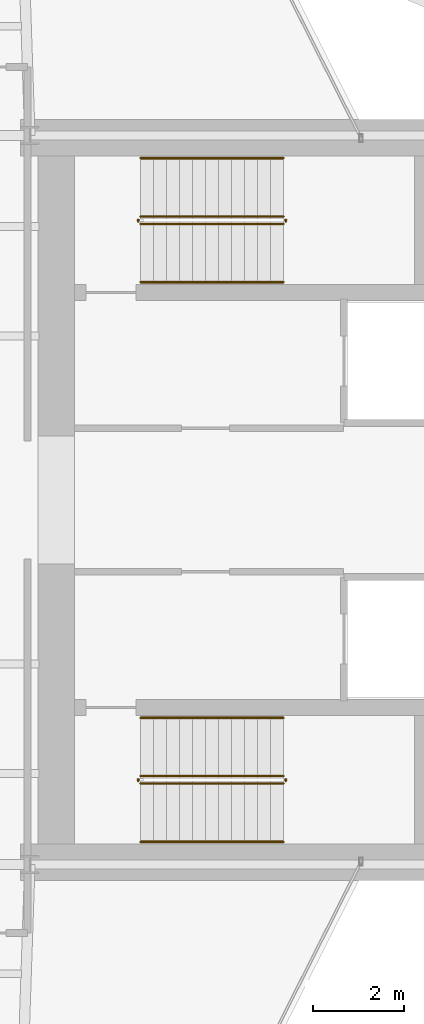
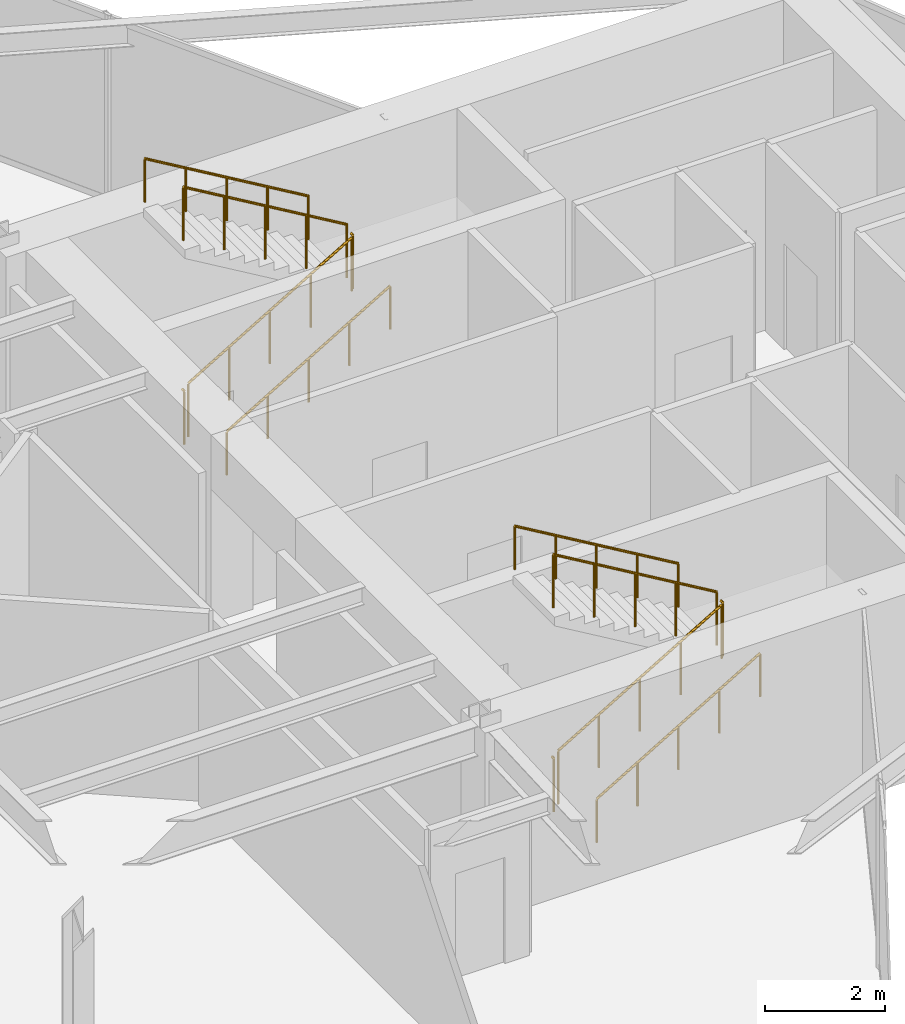
# One storey, part 26 of 26: 12 railings.
"""IFC4 building model written with IfcOpenShell, lengths in metres."""

from ifc_helpers import new_model, si_unit, direction, frame, origin, origin_2d, place, context, subcontext, project, spatial, circle, extrude, material, type_object, element, save


model = new_model("IFC4")

# Units and contexts
model_context = context("Model", 3, precision=1e-05, world=origin(), true_north=direction((0.0, 1.0)))
body_context = subcontext(model_context, "Body", "Model", "MODEL_VIEW")
ifc_project = project(units=[si_unit("LENGTHUNIT", "METRE"), si_unit("AREAUNIT", "SQUARE_METRE"), si_unit("VOLUMEUNIT", "CUBIC_METRE"), si_unit("PLANEANGLEUNIT", "RADIAN"), si_unit("MASSUNIT", "GRAM", prefix="KILO")], contexts=[model_context])

# Site, building, storey
site_placement = place(None, origin())
site = spatial("IfcSite", under=ifc_project, at=site_placement, CompositionType="ELEMENT")
building_placement = place(site_placement, origin())
building = spatial("IfcBuilding", under=site, at=building_placement, Name="Veymaron Broadcast Tower", CompositionType="ELEMENT")
storey_placement = place(building_placement, frame((0.0, 0.0, 133.050048828125)))
storey = spatial("IfcBuildingStorey", under=building, at=storey_placement, Name="L30", CompositionType="ELEMENT", Elevation=133.050048828125)

# Railings
ifc_material_1 = material(Name="Brushed stainless steel AISI 304", Category="steel")
railing_type_1 = type_object("IfcRailingType", Name="RAIL-STAIR-HR", PredefinedType="HANDRAIL", material=ifc_material_1)
railing_1_placement = place(storey_placement, frame((41.429931640625, 28.780029296875, 0.168701171875)))
element("IfcRailing", 1, at=railing_1_placement, inside=storey, type_object=railing_type_1, Name="L30 ST1 stair handrail 1", PredefinedType="HANDRAIL", context=body_context, shape_type="SweptSolid", body=[
    extrude(circle(Radius=0.02392578125, at=origin_2d()), frame((0.0, 0.0, 0.8759765625), z_axis=(0.860481960309, 0.0, 0.509480908359), x_axis=(0.0, 1.0, 0.0)), (0.0, 0.0, 1.0), 3.643310546875),
    extrude(circle(Radius=0.02099609375, at=origin_2d()), origin(), (0.0, 0.0, 1.0), 0.851806640625),
    extrude(circle(Radius=0.02099609375, at=origin_2d()), frame((0.78369140625, 0.0, 0.464111328125)), (0.0, 0.0, 1.0), 0.851806640625),
    extrude(circle(Radius=0.02099609375, at=origin_2d()), frame((1.5673828125, 0.0, 0.92822265625)), (0.0, 0.0, 1.0), 0.851806640625),
    extrude(circle(Radius=0.02099609375, at=origin_2d()), frame((2.351318359375, 0.0, 1.39208984375)), (0.0, 0.0, 1.0), 0.851806640625),
    extrude(circle(Radius=0.02099609375, at=origin_2d()), frame((3.135009765625, 0.0, 1.856201171875)), (0.0, 0.0, 1.0), 0.851806640625),
])
railing_2_placement = place(storey_placement, frame((44.56494140625, 31.5, 2.193603515625)))
element("IfcRailing", 2, at=railing_2_placement, inside=storey, type_object=railing_type_1, Name="L30 ST1 stair handrail 2", PredefinedType="HANDRAIL", context=body_context, shape_type="SweptSolid", body=[
    extrude(circle(Radius=0.02392578125, at=origin_2d()), frame((0.0, 0.0, 0.8759765625), z_axis=(-0.860452582533, 0.0, 0.509530522356), x_axis=(0.0, -1.0, 0.0)), (0.0, 0.0, 1.0), 3.6435546875),
    extrude(circle(Radius=0.02099609375, at=origin_2d()), origin(), (0.0, 0.0, 1.0), 0.851806640625),
    extrude(circle(Radius=0.02099609375, at=origin_2d()), frame((-0.78369140625, 0.0, 0.464111328125)), (0.0, 0.0, 1.0), 0.851806640625),
    extrude(circle(Radius=0.02099609375, at=origin_2d()), frame((-1.5673828125, 0.0, 0.92822265625)), (0.0, 0.0, 1.0), 0.851806640625),
    extrude(circle(Radius=0.02099609375, at=origin_2d()), frame((-2.351318359375, 0.0, 1.392333984375)), (0.0, 0.0, 1.0), 0.851806640625),
    extrude(circle(Radius=0.02099609375, at=origin_2d()), frame((-3.135009765625, 0.0, 1.8564453125)), (0.0, 0.0, 1.0), 0.851806640625),
])
railing_3_placement = place(storey_placement, frame((41.429931640625, 16.5, 0.168701171875)))
element("IfcRailing", 3, at=railing_3_placement, inside=storey, type_object=railing_type_1, Name="L30 ST2 stair handrail 1", PredefinedType="HANDRAIL", context=body_context, shape_type="SweptSolid", body=[
    extrude(circle(Radius=0.02392578125, at=origin_2d()), frame((0.0, 0.0, 0.8759765625), z_axis=(0.860481960309, 0.0, 0.509480908359), x_axis=(0.0, 1.0, 0.0)), (0.0, 0.0, 1.0), 3.643310546875),
    extrude(circle(Radius=0.02099609375, at=origin_2d()), origin(), (0.0, 0.0, 1.0), 0.851806640625),
    extrude(circle(Radius=0.02099609375, at=origin_2d()), frame((0.78369140625, 0.0, 0.464111328125)), (0.0, 0.0, 1.0), 0.851806640625),
    extrude(circle(Radius=0.02099609375, at=origin_2d()), frame((1.5673828125, 0.0, 0.92822265625)), (0.0, 0.0, 1.0), 0.851806640625),
    extrude(circle(Radius=0.02099609375, at=origin_2d()), frame((2.351318359375, 0.0, 1.39208984375)), (0.0, 0.0, 1.0), 0.851806640625),
    extrude(circle(Radius=0.02099609375, at=origin_2d()), frame((3.135009765625, 0.0, 1.856201171875)), (0.0, 0.0, 1.0), 0.851806640625),
])
railing_4_placement = place(storey_placement, frame((44.56494140625, 19.219970703125, 2.193603515625)))
element("IfcRailing", 4, at=railing_4_placement, inside=storey, type_object=railing_type_1, Name="L30 ST2 stair handrail 2", PredefinedType="HANDRAIL", context=body_context, shape_type="SweptSolid", body=[
    extrude(circle(Radius=0.02392578125, at=origin_2d()), frame((0.0, 0.0, 0.8759765625), z_axis=(-0.860452582533, 0.0, 0.509530522356), x_axis=(0.0, -1.0, 0.0)), (0.0, 0.0, 1.0), 3.6435546875),
    extrude(circle(Radius=0.02099609375, at=origin_2d()), origin(), (0.0, 0.0, 1.0), 0.851806640625),
    extrude(circle(Radius=0.02099609375, at=origin_2d()), frame((-0.78369140625, 0.0, 0.464111328125)), (0.0, 0.0, 1.0), 0.851806640625),
    extrude(circle(Radius=0.02099609375, at=origin_2d()), frame((-1.5673828125, 0.0, 0.92822265625)), (0.0, 0.0, 1.0), 0.851806640625),
    extrude(circle(Radius=0.02099609375, at=origin_2d()), frame((-2.351318359375, 0.0, 1.392333984375)), (0.0, 0.0, 1.0), 0.851806640625),
    extrude(circle(Radius=0.02099609375, at=origin_2d()), frame((-3.135009765625, 0.0, 1.8564453125)), (0.0, 0.0, 1.0), 0.851806640625),
])
ifc_material_2 = material(Name="Painted galvanized steel balustrade", Category="steel")
railing_type_2 = type_object("IfcRailingType", Name="RAIL-WELL-GRD", PredefinedType="GUARDRAIL", material=ifc_material_2)
railing_5_placement = place(storey_placement, frame((41.429931640625, 30.06005859375, 0.168701171875)))
element("IfcRailing", 5, at=railing_5_placement, inside=storey, type_object=railing_type_2, Name="L30 ST1 stair guard 1", PredefinedType="GUARDRAIL", context=body_context, shape_type="SweptSolid", body=[
    extrude(circle(Radius=0.02392578125, at=origin_2d()), frame((0.0, 0.0, 1.076171875), z_axis=(0.860481960309, 0.0, 0.509480908359), x_axis=(0.0, 1.0, 0.0)), (0.0, 0.0, 1.0), 3.643310546875),
    extrude(circle(Radius=0.02099609375, at=origin_2d()), origin(), (0.0, 0.0, 1.0), 1.052001953125),
    extrude(circle(Radius=0.02099609375, at=origin_2d()), frame((0.78369140625, 0.0, 0.464111328125)), (0.0, 0.0, 1.0), 1.052001953125),
    extrude(circle(Radius=0.02099609375, at=origin_2d()), frame((1.5673828125, 0.0, 0.92822265625)), (0.0, 0.0, 1.0), 1.052001953125),
    extrude(circle(Radius=0.02099609375, at=origin_2d()), frame((2.351318359375, 0.0, 1.39208984375)), (0.0, 0.0, 1.0), 1.052001953125),
    extrude(circle(Radius=0.02099609375, at=origin_2d()), frame((3.135009765625, 0.0, 1.856201171875)), (0.0, 0.0, 1.0), 1.052001953125),
])
railing_6_placement = place(storey_placement, frame((44.614990234375, 30.110107421875, 2.02490234375)))
element("IfcRailing", 6, at=railing_6_placement, inside=storey, type_object=railing_type_2, Name="L30 ST1 stair guard 2", PredefinedType="GUARDRAIL", context=body_context, shape_type="SweptSolid", body=[
    extrude(circle(Radius=0.02392578125, at=origin_2d()), frame((0.0, 0.0, 1.076171875), z_axis=(0.0, 1.0, 0.0), x_axis=(-1.0, 0.0, 0.0)), (0.0, 0.0, 1.0), 0.059814453125),
    extrude(circle(Radius=0.02099609375, at=origin_2d()), origin(), (0.0, 0.0, 1.0), 1.052001953125),
])
railing_7_placement = place(storey_placement, frame((44.56494140625, 30.219970703125, 2.193603515625)))
element("IfcRailing", 7, at=railing_7_placement, inside=storey, type_object=railing_type_2, Name="L30 ST1 stair guard 3", PredefinedType="GUARDRAIL", context=body_context, shape_type="SweptSolid", body=[
    extrude(circle(Radius=0.02392578125, at=origin_2d()), frame((0.0, 0.0, 1.076171875), z_axis=(-0.860452582533, 0.0, 0.509530522356), x_axis=(0.0, -1.0, 0.0)), (0.0, 0.0, 1.0), 3.6435546875),
    extrude(circle(Radius=0.02099609375, at=origin_2d()), origin(), (0.0, 0.0, 1.0), 1.052001953125),
    extrude(circle(Radius=0.02099609375, at=origin_2d()), frame((-0.78369140625, 0.0, 0.464111328125)), (0.0, 0.0, 1.0), 1.052001953125),
    extrude(circle(Radius=0.02099609375, at=origin_2d()), frame((-1.5673828125, 0.0, 0.92822265625)), (0.0, 0.0, 1.0), 1.052001953125),
    extrude(circle(Radius=0.02099609375, at=origin_2d()), frame((-2.351318359375, 0.0, 1.392333984375)), (0.0, 0.0, 1.0), 1.052001953125),
    extrude(circle(Radius=0.02099609375, at=origin_2d()), frame((-3.135009765625, 0.0, 1.8564453125)), (0.0, 0.0, 1.0), 1.052001953125),
])
railing_8_placement = place(storey_placement, frame((41.3798828125, 30.110107421875, 0.0)))
element("IfcRailing", 8, at=railing_8_placement, inside=storey, type_object=railing_type_2, Name="L30 ST1 stair guard 4", PredefinedType="GUARDRAIL", context=body_context, shape_type="SweptSolid", body=[
    extrude(circle(Radius=0.02392578125, at=origin_2d()), frame((0.0, 0.0, 1.076171875), z_axis=(0.0, 1.0, 0.0), x_axis=(-1.0, 0.0, 0.0)), (0.0, 0.0, 1.0), 0.059814453125),
    extrude(circle(Radius=0.02099609375, at=origin_2d()), origin(), (0.0, 0.0, 1.0), 1.052001953125),
])
railing_9_placement = place(storey_placement, frame((41.429931640625, 17.780029296875, 0.168701171875)))
element("IfcRailing", 9, at=railing_9_placement, inside=storey, type_object=railing_type_2, Name="L30 ST2 stair guard 1", PredefinedType="GUARDRAIL", context=body_context, shape_type="SweptSolid", body=[
    extrude(circle(Radius=0.02392578125, at=origin_2d()), frame((0.0, 0.0, 1.076171875), z_axis=(0.860481960309, 0.0, 0.509480908359), x_axis=(0.0, 1.0, 0.0)), (0.0, 0.0, 1.0), 3.643310546875),
    extrude(circle(Radius=0.02099609375, at=origin_2d()), origin(), (0.0, 0.0, 1.0), 1.052001953125),
    extrude(circle(Radius=0.02099609375, at=origin_2d()), frame((0.78369140625, 0.0, 0.464111328125)), (0.0, 0.0, 1.0), 1.052001953125),
    extrude(circle(Radius=0.02099609375, at=origin_2d()), frame((1.5673828125, 0.0, 0.92822265625)), (0.0, 0.0, 1.0), 1.052001953125),
    extrude(circle(Radius=0.02099609375, at=origin_2d()), frame((2.351318359375, 0.0, 1.39208984375)), (0.0, 0.0, 1.0), 1.052001953125),
    extrude(circle(Radius=0.02099609375, at=origin_2d()), frame((3.135009765625, 0.0, 1.856201171875)), (0.0, 0.0, 1.0), 1.052001953125),
])
railing_10_placement = place(storey_placement, frame((44.614990234375, 17.830078125, 2.02490234375)))
element("IfcRailing", 10, at=railing_10_placement, inside=storey, type_object=railing_type_2, Name="L30 ST2 stair guard 2", PredefinedType="GUARDRAIL", context=body_context, shape_type="SweptSolid", body=[
    extrude(circle(Radius=0.02392578125, at=origin_2d()), frame((0.0, 0.0, 1.076171875), z_axis=(0.0, 1.0, 0.0), x_axis=(-1.0, 0.0, 0.0)), (0.0, 0.0, 1.0), 0.059814453125),
    extrude(circle(Radius=0.02099609375, at=origin_2d()), origin(), (0.0, 0.0, 1.0), 1.052001953125),
])
railing_11_placement = place(storey_placement, frame((44.56494140625, 17.93994140625, 2.193603515625)))
element("IfcRailing", 11, at=railing_11_placement, inside=storey, type_object=railing_type_2, Name="L30 ST2 stair guard 3", PredefinedType="GUARDRAIL", context=body_context, shape_type="SweptSolid", body=[
    extrude(circle(Radius=0.02392578125, at=origin_2d()), frame((0.0, 0.0, 1.076171875), z_axis=(-0.860452582533, 0.0, 0.509530522356), x_axis=(0.0, -1.0, 0.0)), (0.0, 0.0, 1.0), 3.6435546875),
    extrude(circle(Radius=0.02099609375, at=origin_2d()), origin(), (0.0, 0.0, 1.0), 1.052001953125),
    extrude(circle(Radius=0.02099609375, at=origin_2d()), frame((-0.78369140625, 0.0, 0.464111328125)), (0.0, 0.0, 1.0), 1.052001953125),
    extrude(circle(Radius=0.02099609375, at=origin_2d()), frame((-1.5673828125, 0.0, 0.92822265625)), (0.0, 0.0, 1.0), 1.052001953125),
    extrude(circle(Radius=0.02099609375, at=origin_2d()), frame((-2.351318359375, 0.0, 1.392333984375)), (0.0, 0.0, 1.0), 1.052001953125),
    extrude(circle(Radius=0.02099609375, at=origin_2d()), frame((-3.135009765625, 0.0, 1.8564453125)), (0.0, 0.0, 1.0), 1.052001953125),
])
railing_12_placement = place(storey_placement, frame((41.3798828125, 17.830078125, 0.0)))
element("IfcRailing", 12, at=railing_12_placement, inside=storey, type_object=railing_type_2, Name="L30 ST2 stair guard 4", PredefinedType="GUARDRAIL", context=body_context, shape_type="SweptSolid", body=[
    extrude(circle(Radius=0.02392578125, at=origin_2d()), frame((0.0, 0.0, 1.076171875), z_axis=(0.0, 1.0, 0.0), x_axis=(-1.0, 0.0, 0.0)), (0.0, 0.0, 1.0), 0.059814453125),
    extrude(circle(Radius=0.02099609375, at=origin_2d()), origin(), (0.0, 0.0, 1.0), 1.052001953125),
])

save(model, "model.ifc")
